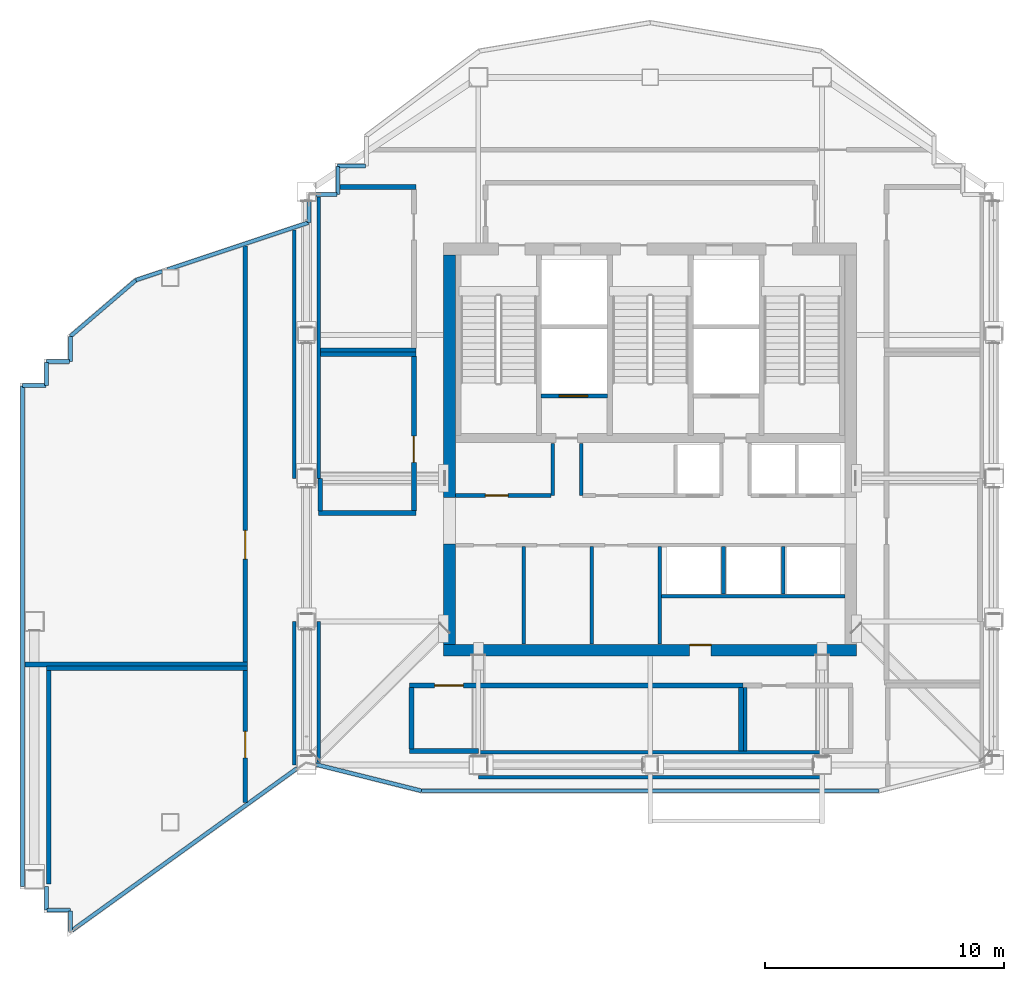
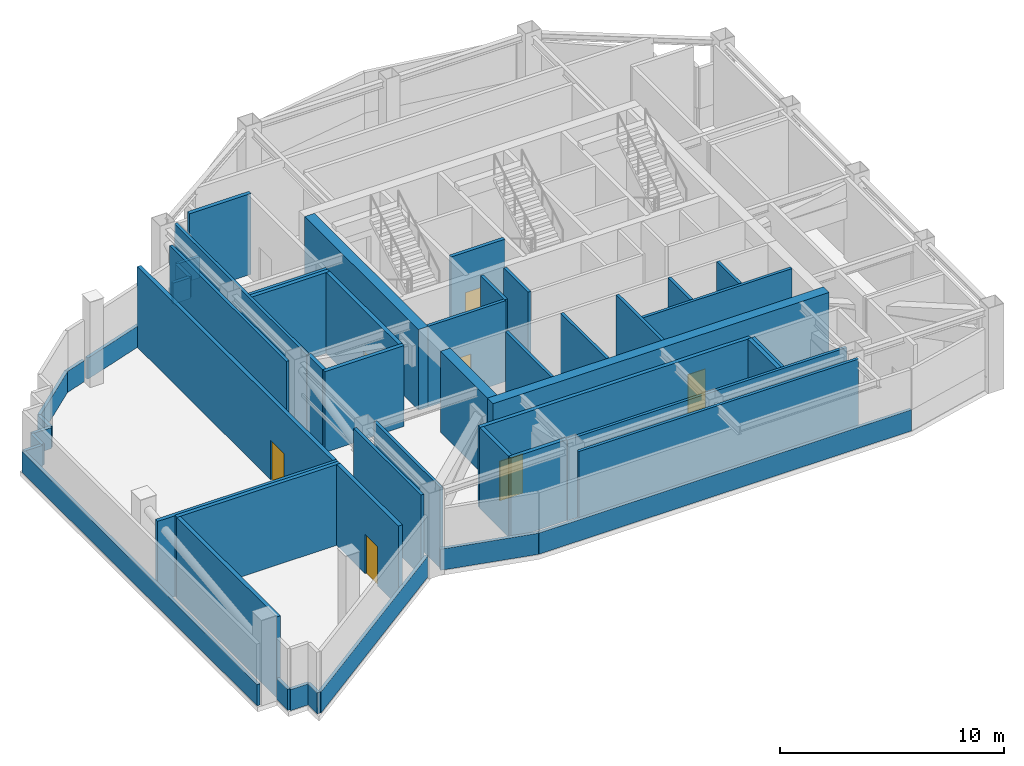
# One storey, part 10 of 15: 53 walls, 7 doors, 7 openings.
"""IFC4 building model written with IfcOpenShell, lengths in metres."""

from ifc_helpers import new_model, si_unit, direction, frame, frame_2d, origin, place, context, subcontext, project, spatial, rectangle, extrude, material, layer, layer_set, type_object, element, fill, save


model = new_model("IFC4")

# Units and contexts
model_context = context("Model", 3, precision=1e-05, world=origin(), true_north=direction((0.0, 1.0)))
body_context = subcontext(model_context, "Body", "Model", "MODEL_VIEW")
ifc_project = project(units=[si_unit("LENGTHUNIT", "METRE"), si_unit("AREAUNIT", "SQUARE_METRE"), si_unit("VOLUMEUNIT", "CUBIC_METRE"), si_unit("PLANEANGLEUNIT", "RADIAN"), si_unit("MASSUNIT", "GRAM", prefix="KILO")], contexts=[model_context])

# Site, building, storey
site_placement = place(None, origin())
site = spatial("IfcSite", under=ifc_project, at=site_placement, CompositionType="ELEMENT")
building_placement = place(site_placement, origin())
building = spatial("IfcBuilding", under=site, at=building_placement, Name="Haolan Belvedere Tower", CompositionType="ELEMENT")
storey_placement = place(building_placement, frame((0.0, 0.0, 277.550048828125)))
storey = spatial("IfcBuildingStorey", under=building, at=storey_placement, Name="L70", CompositionType="ELEMENT", Elevation=277.550048828125)

# Wall, opening, door
ifc_material_1 = material(Name="Concrete C50/60", Category="concrete")
ifc_layer_1 = layer(ifc_material_1, 0.5, Name="Concrete C50/60")
ifc_layer_set_1 = layer_set([ifc_layer_1], Name="Concrete C50/60")
wall_type_1 = type_object("IfcWallType", Name="WL-CORE-500", PredefinedType="SHEAR", material=ifc_layer_set_1)
wall_1_placement = place(storey_placement, frame((29.75, 26.39990234375, 0.0), z_axis=(0.0, 0.0, 1.0), x_axis=(1.0, 0.0, 0.0)))
wall_1 = element("IfcWall", 1, at=wall_1_placement, inside=storey, type_object=wall_type_1, Name="L70 central core south shear wall", PredefinedType="SHEAR", context=body_context, shape_type="SweptSolid", body=[
    extrude(rectangle(XDim=17.300048828125, YDim=0.5, at=frame_2d((8.64990234375, 0.0))), origin(), (0.0, 0.0, 1.0), 4.39990234375),
])
opening_1_placement = place(wall_1_placement, frame((11.199951171875, 0.0, 0.0), z_axis=(0.0, 0.0, 1.0), x_axis=(-1.0, 0.0, 0.0)))
opening_1 = element("IfcOpeningElement", 2, at=opening_1_placement, cuts=wall_1, Name="Opening FD-05", PredefinedType="OPENING", context=body_context, shape_type="SweptSolid", body=[
    extrude(rectangle(XDim=0.89990234375, YDim=2.10009765625, at=frame_2d((0.449951171875, 1.050048828125))), frame((0.0, 0.260009765625, 0.0), z_axis=(0.0, -1.0, 0.0), x_axis=(1.0, 0.0, 0.0)), (0.0, 0.0, 1.0), 0.52001953125),
])
ifc_material_2 = material(Name="Galvanised fire-rated steel", Category="steel")
door_type_1 = type_object("IfcDoorType", Name="DR-FD60-900", OperationType="NOTDEFINED", PredefinedType="DOOR", material=ifc_material_2)
door_1_placement = place(opening_1_placement, origin())
door_1 = element("IfcDoor", 3, at=door_1_placement, inside=storey, type_object=door_type_1, Name="L70 door CD-L70-SCVE", OperationType="SINGLE_SWING_RIGHT", OverallHeight=2.10009765625, OverallWidth=0.89990234375, PredefinedType="DOOR", context=body_context, shape_type="SweptSolid", body=[
    extrude(rectangle(XDim=0.89990234375, YDim=2.10009765625, at=frame_2d((0.449951171875, 1.050048828125))), frame((0.0, -0.19482421875, 0.0), z_axis=(0.0, -1.0, 0.0), x_axis=(1.0, 0.0, 0.0)), (0.0, 0.0, 1.0), 0.050048828125),
])
fill(opening_1, door_1)

# Walls
wall_2_placement = place(storey_placement, frame((30.0, 26.64990234375, 0.0), z_axis=(0.0, 0.0, 1.0), x_axis=(0.0, 1.0, 0.0)))
element("IfcWall", 4, at=wall_2_placement, inside=storey, type_object=wall_type_1, Name="L70 central core shear wall WS", PredefinedType="SHEAR", context=body_context, shape_type="SweptSolid", body=[
    extrude(rectangle(XDim=4.2001953125, YDim=0.5, at=frame_2d((2.10009765625, 0.0))), origin(), (0.0, 0.0, 1.0), 4.39990234375),
])
wall_3_placement = place(storey_placement, frame((30.0, 32.800048828125, 0.0), z_axis=(0.0, 0.0, 1.0), x_axis=(0.0, 1.0, 0.0)))
element("IfcWall", 5, at=wall_3_placement, inside=storey, type_object=wall_type_1, Name="L70 central core shear wall WN", PredefinedType="SHEAR", context=body_context, shape_type="SweptSolid", body=[
    extrude(rectangle(XDim=10.14990234375, YDim=0.5, at=frame_2d((5.074951171875, 0.0))), origin(), (0.0, 0.0, 1.0), 4.39990234375),
])
ifc_material_3 = material(Name="Concrete C40/50", Category="concrete")
ifc_layer_2 = layer(ifc_material_3, 0.199951171875, Name="Concrete C40/50")
ifc_layer_set_2 = layer_set([ifc_layer_2], Name="Concrete C40/50")
wall_type_2 = type_object("IfcWallType", Name="WL-FIRE-200", PredefinedType="SOLIDWALL", material=ifc_layer_set_2)
wall_4_placement = place(storey_placement, frame((24.580078125, 38.800048828125, 0.0), z_axis=(0.0, 0.0, 1.0), x_axis=(1.0, 0.0, 0.0)))
element("IfcWall", 6, at=wall_4_placement, inside=storey, type_object=wall_type_2, Name="L70 interior partition IW-L70-REF-W1-N", PredefinedType="SOLIDWALL", context=body_context, shape_type="SweptSolid", body=[
    extrude(rectangle(XDim=4.0, YDim=0.199951171875, at=frame_2d((2.0, 0.0))), origin(), (0.0, 0.0, 1.0), 4.39990234375),
])
wall_5_placement = place(storey_placement, frame((24.5, 32.14990234375, 0.0), z_axis=(0.0, 0.0, 1.0), x_axis=(1.0, 0.0, 0.0)))
element("IfcWall", 7, at=wall_5_placement, inside=storey, type_object=wall_type_2, Name="L70 interior partition IW-L70-REF-W1-S", PredefinedType="SOLIDWALL", context=body_context, shape_type="SweptSolid", body=[
    extrude(rectangle(XDim=4.080078125, YDim=0.199951171875, at=frame_2d((2.0400390625, 0.0))), origin(), (0.0, 0.0, 1.0), 4.39990234375),
])
wall_6_placement = place(storey_placement, frame((24.580078125, 32.235107421875, 0.0), z_axis=(0.0, 0.0, 1.0), x_axis=(0.0, 1.0, 0.0)))
element("IfcWall", 8, at=wall_6_placement, inside=storey, type_object=wall_type_2, Name="L70 interior partition IW-L70-REF-W1-W", PredefinedType="SOLIDWALL", context=body_context, shape_type="SweptSolid", body=[
    extrude(rectangle(XDim=1.36279296875, YDim=0.199951171875, at=frame_2d((0.681396484375, 0.0))), origin(), (0.0, 0.0, 1.0), 4.39990234375),
])

# Wall, opening, door
wall_7_placement = place(storey_placement, frame((28.5, 32.235107421875, 0.0), z_axis=(0.0, 0.0, 1.0), x_axis=(0.0, 1.0, 0.0)))
wall_7 = element("IfcWall", 9, at=wall_7_placement, inside=storey, type_object=wall_type_2, Name="L70 interior partition IW-L70-REF-W1-E", PredefinedType="SOLIDWALL", context=body_context, shape_type="SweptSolid", body=[
    extrude(rectangle(XDim=6.47998046875, YDim=0.199951171875, at=frame_2d((3.239990234375, 0.0))), origin(), (0.0, 0.0, 1.0), 4.39990234375),
])
opening_2_placement = place(wall_7_placement, frame((3.135009765625, 0.0, 0.0), z_axis=(0.0, 0.0, 1.0), x_axis=(-1.0, 0.0, 0.0)))
opening_2 = element("IfcOpeningElement", 10, at=opening_2_placement, cuts=wall_7, Name="Opening FD-03", PredefinedType="OPENING", context=body_context, shape_type="SweptSolid", body=[
    extrude(rectangle(XDim=1.10009765625, YDim=2.14990234375, at=frame_2d((0.550048828125, 1.074951171875))), frame((0.0, 0.10986328125, 0.0), z_axis=(0.0, -1.0, 0.0), x_axis=(1.0, 0.0, 0.0)), (0.0, 0.0, 1.0), 0.219970703125),
])
door_type_2 = type_object("IfcDoorType", Name="DR-FD90-1100", OperationType="NOTDEFINED", PredefinedType="DOOR", material=ifc_material_2)
door_2_placement = place(opening_2_placement, origin())
door_2 = element("IfcDoor", 11, at=door_2_placement, inside=storey, type_object=door_type_2, Name="L70 door ID-L70-REF-W1", OperationType="SINGLE_SWING_LEFT", OverallHeight=2.14990234375, OverallWidth=1.10009765625, PredefinedType="DOOR", context=body_context, shape_type="SweptSolid", body=[
    extrude(rectangle(XDim=1.10009765625, YDim=2.14990234375, at=frame_2d((0.550048828125, 1.074951171875))), frame((0.0, 0.02490234375, 0.0), z_axis=(0.0, -1.0, 0.0), x_axis=(1.0, 0.0, 0.0)), (0.0, 0.0, 1.0), 0.050048828125),
])
fill(opening_2, door_2)

# Walls
wall_8_placement = place(storey_placement, frame((25.412109375, 45.800048828125, 0.0), z_axis=(0.0, 0.0, 1.0), x_axis=(1.0, 0.0, 0.0)))
element("IfcWall", 12, at=wall_8_placement, inside=storey, type_object=wall_type_2, Name="L70 interior partition IW-L70-REF-W2-N", PredefinedType="SOLIDWALL", context=body_context, shape_type="SweptSolid", body=[
    extrude(rectangle(XDim=3.16796875, YDim=0.199951171875, at=frame_2d((1.583984375, 0.0))), origin(), (0.0, 0.0, 1.0), 4.39990234375),
])
wall_9_placement = place(storey_placement, frame((24.580078125, 38.9599609375, 0.0), z_axis=(0.0, 0.0, 1.0), x_axis=(1.0, 0.0, 0.0)))
element("IfcWall", 13, at=wall_9_placement, inside=storey, type_object=wall_type_2, Name="L70 interior partition IW-L70-REF-W2-S", PredefinedType="SOLIDWALL", context=body_context, shape_type="SweptSolid", body=[
    extrude(rectangle(XDim=4.0, YDim=0.199951171875, at=frame_2d((2.0, 0.0))), origin(), (0.0, 0.0, 1.0), 4.39990234375),
])
wall_10_placement = place(storey_placement, frame((12.2119140625, 25.800048828125, 0.0), z_axis=(0.0, 0.0, 1.0), x_axis=(1.0, 0.0, 0.0)))
element("IfcWall", 14, at=wall_10_placement, inside=storey, type_object=wall_type_2, Name="L70 interior partition IW-L70-REF-WO-S", PredefinedType="SOLIDWALL", context=body_context, shape_type="SweptSolid", body=[
    extrude(rectangle(XDim=9.30810546875, YDim=0.199951171875, at=frame_2d((4.654052734375, 0.0))), origin(), (0.0, 0.0, 1.0), 4.39990234375),
])

# Wall, opening, door
wall_11_placement = place(storey_placement, frame((21.43994140625, 25.885009765625, 0.0), z_axis=(0.0, 0.0, 1.0), x_axis=(0.0, 1.0, 0.0)))
wall_11 = element("IfcWall", 15, at=wall_11_placement, inside=storey, type_object=wall_type_2, Name="L70 interior partition IW-L70-REF-WO-E", PredefinedType="SOLIDWALL", context=body_context, shape_type="SweptSolid", body=[
    extrude(rectangle(XDim=17.438232421875, YDim=0.199951171875, at=frame_2d((8.71923828125, 0.0))), origin(), (0.0, 0.0, 1.0), 4.39990234375),
])
opening_3_placement = place(wall_11_placement, frame((5.534912109375, 0.0, 0.0), z_axis=(0.0, 0.0, 1.0), x_axis=(-1.0, 0.0, 0.0)))
opening_3 = element("IfcOpeningElement", 16, at=opening_3_placement, cuts=wall_11, Name="Opening FD-02", PredefinedType="OPENING", context=body_context, shape_type="SweptSolid", body=[
    extrude(rectangle(XDim=1.199951171875, YDim=2.14990234375, at=frame_2d((0.60009765625, 1.074951171875))), frame((0.0, 0.10986328125, 0.0), z_axis=(0.0, -1.0, 0.0), x_axis=(1.0, 0.0, 0.0)), (0.0, 0.0, 1.0), 0.219970703125),
])
door_type_3 = type_object("IfcDoorType", Name="DR-FD90-1200", OperationType="NOTDEFINED", PredefinedType="DOOR", material=ifc_material_2)
door_3_placement = place(opening_3_placement, origin())
door_3 = element("IfcDoor", 17, at=door_3_placement, inside=storey, type_object=door_type_3, Name="L70 door ID-L70-REF-WO", OperationType="SINGLE_SWING_LEFT", OverallHeight=2.14990234375, OverallWidth=1.199951171875, PredefinedType="DOOR", context=body_context, shape_type="SweptSolid", body=[
    extrude(rectangle(XDim=1.199951171875, YDim=2.14990234375, at=frame_2d((0.60009765625, 1.074951171875))), frame((0.0, 0.02490234375, 0.0), z_axis=(0.0, -1.0, 0.0), x_axis=(1.0, 0.0, 0.0)), (0.0, 0.0, 1.0), 0.050048828125),
])
fill(opening_3, door_3)

# Walls
wall_12_placement = place(storey_placement, frame((13.1201171875, 25.639892578125, 0.0), z_axis=(0.0, 0.0, 1.0), x_axis=(1.0, 0.0, 0.0)))
element("IfcWall", 18, at=wall_12_placement, inside=storey, type_object=wall_type_2, Name="L70 interior partition IW-L70-PLT-WTNK-N", PredefinedType="SOLIDWALL", context=body_context, shape_type="SweptSolid", body=[
    extrude(rectangle(XDim=8.39990234375, YDim=0.199951171875, at=frame_2d((4.199951171875, 0.0))), origin(), (0.0, 0.0, 1.0), 4.39990234375),
])
wall_13_placement = place(storey_placement, frame((13.199951171875, 16.612060546875, 0.0), z_axis=(0.0, 0.0, 1.0), x_axis=(0.0, 1.0, 0.0)))
element("IfcWall", 19, at=wall_13_placement, inside=storey, type_object=wall_type_2, Name="L70 interior partition IW-L70-PLT-WTNK-W", PredefinedType="SOLIDWALL", context=body_context, shape_type="SweptSolid", body=[
    extrude(rectangle(XDim=8.94287109375, YDim=0.199951171875, at=frame_2d((4.471435546875, 0.0))), origin(), (0.0, 0.0, 1.0), 4.39990234375),
])

# Wall, opening, door
wall_14_placement = place(storey_placement, frame((21.43994140625, 20.01806640625, 0.0), z_axis=(0.0, 0.0, 1.0), x_axis=(0.0, 1.0, 0.0)))
wall_14 = element("IfcWall", 20, at=wall_14_placement, inside=storey, type_object=wall_type_2, Name="L70 interior partition IW-L70-PLT-WTNK-E", PredefinedType="SOLIDWALL", context=body_context, shape_type="SweptSolid", body=[
    extrude(rectangle(XDim=5.536865234375, YDim=0.199951171875, at=frame_2d((2.7685546875, 0.0))), origin(), (0.0, 0.0, 1.0), 4.39990234375),
])
opening_4_placement = place(wall_14_placement, frame((2.977294921875, 0.0, 0.0), z_axis=(0.0, 0.0, 1.0), x_axis=(-1.0, 0.0, 0.0)))
opening_4 = element("IfcOpeningElement", 21, at=opening_4_placement, cuts=wall_14, Name="Opening FD-03", PredefinedType="OPENING", context=body_context, shape_type="SweptSolid", body=[
    extrude(rectangle(XDim=1.10009765625, YDim=2.14990234375, at=frame_2d((0.550048828125, 1.074951171875))), frame((0.0, 0.10986328125, 0.0), z_axis=(0.0, -1.0, 0.0), x_axis=(1.0, 0.0, 0.0)), (0.0, 0.0, 1.0), 0.219970703125),
])
door_4_placement = place(opening_4_placement, origin())
door_4 = element("IfcDoor", 22, at=door_4_placement, inside=storey, type_object=door_type_2, Name="L70 door ID-L70-PLT-WTNK", OperationType="SINGLE_SWING_RIGHT", OverallHeight=2.14990234375, OverallWidth=1.10009765625, PredefinedType="DOOR", context=body_context, shape_type="SweptSolid", body=[
    extrude(rectangle(XDim=1.10009765625, YDim=2.14990234375, at=frame_2d((0.550048828125, 1.074951171875))), frame((0.0, 0.02490234375, 0.0), z_axis=(0.0, -1.0, 0.0), x_axis=(1.0, 0.0, 0.0)), (0.0, 0.0, 1.0), 0.050048828125),
])
fill(opening_4, door_4)

wall_15_placement = place(storey_placement, frame((28.320068359375, 24.919921875, 0.0), z_axis=(0.0, 0.0, 1.0), x_axis=(1.0, 0.0, 0.0)))
wall_15 = element("IfcWall", 23, at=wall_15_placement, inside=storey, type_object=wall_type_2, Name="L70 interior partition IW-L70-REF-S-N", PredefinedType="SOLIDWALL", context=body_context, shape_type="SweptSolid", body=[
    extrude(rectangle(XDim=13.9599609375, YDim=0.199951171875, at=frame_2d((6.97998046875, 0.0))), origin(), (0.0, 0.0, 1.0), 4.39990234375),
])
opening_5_placement = place(wall_15_placement, frame((2.24853515625, 0.0, 0.0), z_axis=(0.0, 0.0, 1.0), x_axis=(-1.0, 0.0, 0.0)))
opening_5 = element("IfcOpeningElement", 24, at=opening_5_placement, cuts=wall_15, Name="Opening FD-02", PredefinedType="OPENING", context=body_context, shape_type="SweptSolid", body=[
    extrude(rectangle(XDim=1.199951171875, YDim=2.14990234375, at=frame_2d((0.60009765625, 1.074951171875))), frame((0.0, 0.10986328125, 0.0), z_axis=(0.0, -1.0, 0.0), x_axis=(1.0, 0.0, 0.0)), (0.0, 0.0, 1.0), 0.219970703125),
])
door_5_placement = place(opening_5_placement, origin())
door_5 = element("IfcDoor", 25, at=door_5_placement, inside=storey, type_object=door_type_3, Name="L70 door ID-L70-REF-S", OperationType="SINGLE_SWING_LEFT", OverallHeight=2.14990234375, OverallWidth=1.199951171875, PredefinedType="DOOR", context=body_context, shape_type="SweptSolid", body=[
    extrude(rectangle(XDim=1.199951171875, YDim=2.14990234375, at=frame_2d((0.60009765625, 1.074951171875))), frame((0.0, 0.02490234375, 0.0), z_axis=(0.0, -1.0, 0.0), x_axis=(1.0, 0.0, 0.0)), (0.0, 0.0, 1.0), 0.050048828125),
])
fill(opening_5, door_5)

# Walls
wall_16_placement = place(storey_placement, frame((28.320068359375, 22.179931640625, 0.0), z_axis=(0.0, 0.0, 1.0), x_axis=(1.0, 0.0, 0.0)))
element("IfcWall", 26, at=wall_16_placement, inside=storey, type_object=wall_type_2, Name="L70 interior partition IW-L70-REF-S-S", PredefinedType="SOLIDWALL", context=body_context, shape_type="SweptSolid", body=[
    extrude(rectangle(XDim=2.8779296875, YDim=0.199951171875, at=frame_2d((1.43896484375, 0.0))), origin(), (0.0, 0.0, 1.0), 4.39990234375),
])
wall_17_placement = place(storey_placement, frame((28.39990234375, 22.264892578125, 0.0), z_axis=(0.0, 0.0, 1.0), x_axis=(0.0, 1.0, 0.0)))
element("IfcWall", 27, at=wall_17_placement, inside=storey, type_object=wall_type_2, Name="L70 interior partition IW-L70-REF-S-W", PredefinedType="SOLIDWALL", context=body_context, shape_type="SweptSolid", body=[
    extrude(rectangle(XDim=2.570068359375, YDim=0.199951171875, at=frame_2d((1.28515625, 0.0))), origin(), (0.0, 0.0, 1.0), 4.39990234375),
])
for number, where, z_axis, x_axis, name in (
    (28, (42.199951171875, 22.179931640625, 0.0), (0.0, 0.0, 1.0), (0.0, 1.0, 0.0), "L70 interior partition IW-L70-REF-S-E"),
    (29, (42.360107421875, 22.179931640625, 0.0), (0.0, 0.0, 1.0), (0.0, 1.0, 0.0), "L70 interior partition IW-L70-PLT-SUB-W"),
):
    element("IfcWall", number, at=place(storey_placement, frame(where, z_axis=z_axis, x_axis=x_axis)), inside=storey, type_object=wall_type_2, Name=name, PredefinedType="SOLIDWALL", context=body_context, shape_type="SweptSolid", body=[
        extrude(rectangle(XDim=2.655029296875, YDim=0.199951171875, at=frame_2d((1.32763671875, 0.0))), origin(), (0.0, 0.0, 1.0), 4.39990234375),
    ])
ifc_material_4 = material(Name="Precast concrete C40/50", Category="concrete")
ifc_layer_3 = layer(ifc_material_4, 0.159912109375, Name="Precast concrete C40/50")
ifc_layer_set_3 = layer_set([ifc_layer_3], Name="Precast concrete C40/50")
wall_type_3 = type_object("IfcWallType", Name="WL-PAR-160", PredefinedType="PARAPET", material=ifc_layer_set_3)
wall_18_placement = place(storey_placement, frame((28.8134765625, 20.510009765625, 0.0), z_axis=(0.0, 0.0, 1.0), x_axis=(1.0, 0.0, 0.0)))
element("IfcWall", 30, at=wall_18_placement, inside=storey, type_object=wall_type_3, Name="L70 refuge open-band parapet 1.1", PredefinedType="PARAPET", context=body_context, shape_type="SweptSolid", body=[
    extrude(rectangle(XDim=19.173095703125, YDim=0.159912109375, at=frame_2d((9.58642578125, 0.0))), origin(), (0.0, 0.0, 1.0), 1.14990234375),
])
for number, where, z_axis, x_axis, name in (
    (31, (26.47998046875, 46.68994140625, 0.0), (0.0, 0.0, 1.0), (-1.0, 0.0, 0.0), "L70 refuge open-band parapet 13.1"),
    (32, (25.31005859375, 46.659912109375, 0.0), (0.0, 0.0, 1.0), (0.0, -1.0, 0.0), "L70 refuge open-band parapet 14.1"),
):
    element("IfcWall", number, at=place(storey_placement, frame(where, z_axis=z_axis, x_axis=x_axis)), inside=storey, type_object=wall_type_3, Name=name, PredefinedType="PARAPET", context=body_context, shape_type="SweptSolid", body=[
        extrude(rectangle(XDim=1.169921875, YDim=0.159912109375, at=frame_2d((0.5849609375, 0.0))), origin(), (0.0, 0.0, 1.0), 1.14990234375),
    ])
wall_19_placement = place(storey_placement, frame((25.280029296875, 45.489990234375, 0.0), z_axis=(0.0, 0.0, 1.0), x_axis=(-1.0, 0.0, 0.0)))
element("IfcWall", 33, at=wall_19_placement, inside=storey, type_object=wall_type_3, Name="L70 refuge open-band parapet 15.1", PredefinedType="PARAPET", context=body_context, shape_type="SweptSolid", body=[
    extrude(rectangle(XDim=0.887939453125, YDim=0.159912109375, at=frame_2d((0.44384765625, 0.0))), origin(), (0.0, 0.0, 1.0), 1.14990234375),
])
wall_20_placement = place(storey_placement, frame((24.110107421875, 45.2080078125, 0.0), z_axis=(0.0, 0.0, 1.0), x_axis=(0.0, -1.0, 0.0)))
element("IfcWall", 34, at=wall_20_placement, inside=storey, type_object=wall_type_3, Name="L70 refuge open-band parapet 16.1", PredefinedType="PARAPET", context=body_context, shape_type="SweptSolid", body=[
    extrude(rectangle(XDim=0.88720703125, YDim=0.159912109375, at=frame_2d((0.443603515625, 0.0))), origin(), (0.0, 0.0, 1.0), 1.14990234375),
])
wall_21_placement = place(storey_placement, frame((24.08154296875, 44.311279296875, 0.0), z_axis=(0.0, 0.0, 1.0), x_axis=(-0.948687218335, -0.316216004921, 0.0)))
element("IfcWall", 35, at=wall_21_placement, inside=storey, type_object=wall_type_3, Name="L70 refuge open-band parapet 17.1", PredefinedType="PARAPET", context=body_context, shape_type="SweptSolid", body=[
    extrude(rectangle(XDim=6.2275390625, YDim=0.159912109375, at=frame_2d((3.11376953125, 0.0))), origin(), (0.0, 0.0, 1.0), 1.14990234375),
])
wall_22_placement = place(storey_placement, frame((17.9580078125, 42.27001953125, 0.0), z_axis=(0.0, 0.0, 1.0), x_axis=(-0.948725296556, -0.316101742599, 0.0)))
element("IfcWall", 36, at=wall_22_placement, inside=storey, type_object=wall_type_3, Name="L70 refuge open-band parapet 17.2", PredefinedType="PARAPET", context=body_context, shape_type="SweptSolid", body=[
    extrude(rectangle(XDim=1.162353515625, YDim=0.159912109375, at=frame_2d((0.5810546875, 0.0))), origin(), (0.0, 0.0, 1.0), 1.14990234375),
])
wall_23_placement = place(storey_placement, frame((16.855224609375, 41.902587890625, 0.0), z_axis=(0.0, 0.0, 1.0), x_axis=(-0.759213704594, -0.650841417518, 0.0)))
element("IfcWall", 37, at=wall_23_placement, inside=storey, type_object=wall_type_3, Name="L70 refuge open-band parapet 18.1", PredefinedType="PARAPET", context=body_context, shape_type="SweptSolid", body=[
    extrude(rectangle(XDim=3.61572265625, YDim=0.159912109375, at=frame_2d((1.807861328125, 0.0))), origin(), (0.0, 0.0, 1.0), 1.14990234375),
])
wall_24_placement = place(storey_placement, frame((14.110107421875, 39.54931640625, 0.0), z_axis=(0.0, 0.0, 1.0), x_axis=(0.0, -1.0, 0.0)))
element("IfcWall", 38, at=wall_24_placement, inside=storey, type_object=wall_type_3, Name="L70 refuge open-band parapet 19.1", PredefinedType="PARAPET", context=body_context, shape_type="SweptSolid", body=[
    extrude(rectangle(XDim=1.059326171875, YDim=0.159912109375, at=frame_2d((0.52978515625, 0.0))), origin(), (0.0, 0.0, 1.0), 1.14990234375),
])
for number, where, z_axis, x_axis, name in (
    (39, (14.080078125, 38.489990234375, 0.0), (0.0, 0.0, 1.0), (-1.0, 0.0, 0.0), "L70 refuge open-band parapet 20.1"),
    (40, (13.110107421875, 38.4599609375, 0.0), (0.0, 0.0, 1.0), (0.0, -1.0, 0.0), "L70 refuge open-band parapet 21.1"),
    (41, (13.080078125, 37.489990234375, 0.0), (0.0, 0.0, 1.0), (-1.0, 0.0, 0.0), "L70 refuge open-band parapet 22.1"),
):
    element("IfcWall", number, at=place(storey_placement, frame(where, z_axis=z_axis, x_axis=x_axis)), inside=storey, type_object=wall_type_3, Name=name, PredefinedType="PARAPET", context=body_context, shape_type="SweptSolid", body=[
        extrude(rectangle(XDim=0.969970703125, YDim=0.159912109375, at=frame_2d((0.48486328125, 0.0))), origin(), (0.0, 0.0, 1.0), 1.14990234375),
    ])
wall_25_placement = place(storey_placement, frame((12.110107421875, 37.4599609375, 0.0), z_axis=(0.0, 0.0, 1.0), x_axis=(0.0, -1.0, 0.0)))
element("IfcWall", 42, at=wall_25_placement, inside=storey, type_object=wall_type_3, Name="L70 refuge open-band parapet 23.1", PredefinedType="PARAPET", context=body_context, shape_type="SweptSolid", body=[
    extrude(rectangle(XDim=20.949951171875, YDim=0.159912109375, at=frame_2d((10.47509765625, 0.0))), origin(), (0.0, 0.0, 1.0), 1.14990234375),
])
wall_26_placement = place(storey_placement, frame((13.110107421875, 16.510009765625, 0.0), z_axis=(0.0, 0.0, 1.0), x_axis=(0.0, -1.0, 0.0)))
element("IfcWall", 43, at=wall_26_placement, inside=storey, type_object=wall_type_3, Name="L70 refuge open-band parapet 25.1", PredefinedType="PARAPET", context=body_context, shape_type="SweptSolid", body=[
    extrude(rectangle(XDim=1.0, YDim=0.159912109375, at=frame_2d((0.5, 0.0))), origin(), (0.0, 0.0, 1.0), 1.14990234375),
])
wall_27_placement = place(storey_placement, frame((13.139892578125, 15.510009765625, 0.0), z_axis=(0.0, 0.0, 1.0), x_axis=(1.0, 0.0, 0.0)))
element("IfcWall", 44, at=wall_27_placement, inside=storey, type_object=wall_type_3, Name="L70 refuge open-band parapet 26.1", PredefinedType="PARAPET", context=body_context, shape_type="SweptSolid", body=[
    extrude(rectangle(XDim=0.97021484375, YDim=0.159912109375, at=frame_2d((0.485107421875, 0.0))), origin(), (0.0, 0.0, 1.0), 1.14990234375),
])
wall_28_placement = place(storey_placement, frame((14.110107421875, 15.47998046875, 0.0), z_axis=(0.0, 0.0, 1.0), x_axis=(0.0, -1.0, 0.0)))
element("IfcWall", 45, at=wall_28_placement, inside=storey, type_object=wall_type_3, Name="L70 refuge open-band parapet 27.1", PredefinedType="PARAPET", context=body_context, shape_type="SweptSolid", body=[
    extrude(rectangle(XDim=0.865234375, YDim=0.159912109375, at=frame_2d((0.4326171875, 0.0))), origin(), (0.0, 0.0, 1.0), 1.14990234375),
])
wall_29_placement = place(storey_placement, frame((14.18310546875, 14.667236328125, 0.0), z_axis=(0.0, 0.0, 1.0), x_axis=(0.811523176966, 0.584320231762, 0.0)))
element("IfcWall", 46, at=wall_29_placement, inside=storey, type_object=wall_type_3, Name="L70 refuge open-band parapet 28.1", PredefinedType="PARAPET", context=body_context, shape_type="SweptSolid", body=[
    extrude(rectangle(XDim=11.61376953125, YDim=0.159912109375, at=frame_2d((5.806884765625, 0.0))), origin(), (0.0, 0.0, 1.0), 1.14990234375),
])
wall_30_placement = place(storey_placement, frame((24.39208984375, 21.615478515625, 0.0), z_axis=(0.0, 0.0, 1.0), x_axis=(0.970136197572, -0.242560833937, 0.0)))
element("IfcWall", 47, at=wall_30_placement, inside=storey, type_object=wall_type_3, Name="L70 refuge open-band parapet 29.1", PredefinedType="PARAPET", context=body_context, shape_type="SweptSolid", body=[
    extrude(rectangle(XDim=4.557373046875, YDim=0.159912109375, at=frame_2d((2.27880859375, 0.0))), origin(), (0.0, 0.0, 1.0), 1.14990234375),
])
ifc_material_5 = material(Name="Double gypsum acoustic stud partition", Category="masonry")
ifc_layer_4 = layer(ifc_material_5, 0.14990234375, Name="Double gypsum acoustic stud partition")
ifc_layer_set_4 = layer_set([ifc_layer_4], Name="Double gypsum acoustic stud partition")
wall_type_4 = type_object("IfcWallType", Name="WL-PART-150", PredefinedType="PARTITIONING", material=ifc_layer_set_4)
for number, where, z_axis, x_axis, name in (
    (48, (33.10009765625, 26.659912109375, 0.0), (0.0, 0.0, 1.0), (0.0, 1.0, 0.0), "L70 interior partition IW-L70-DIV-REUSE-PM1"),
    (49, (35.949951171875, 26.659912109375, 0.0), (0.0, 0.0, 1.0), (0.0, 1.0, 0.0), "L70 interior partition IW-L70-DIV-REUSE-PM2"),
):
    element("IfcWall", number, at=place(storey_placement, frame(where, z_axis=z_axis, x_axis=x_axis)), inside=storey, type_object=wall_type_4, Name=name, PredefinedType="PARTITIONING", context=body_context, shape_type="SweptSolid", body=[
        extrude(rectangle(XDim=4.0751953125, YDim=0.14990234375, at=frame_2d((2.03759765625, 0.0))), origin(), (0.0, 0.0, 1.0), 4.39990234375),
    ])
wall_31_placement = place(storey_placement, frame((38.860107421875, 28.659912109375, 0.0), z_axis=(0.0, 0.0, 1.0), x_axis=(1.0, 0.0, 0.0)))
element("IfcWall", 50, at=wall_31_placement, inside=storey, type_object=wall_type_4, Name="L70 interior partition IW-L70-SSTRIP-E", PredefinedType="PARTITIONING", context=body_context, shape_type="SweptSolid", body=[
    extrude(rectangle(XDim=7.68994140625, YDim=0.14990234375, at=frame_2d((3.844970703125, 0.0))), origin(), (0.0, 0.0, 1.0), 4.39990234375),
])
wall_32_placement = place(storey_placement, frame((24.52001953125, 21.6884765625, 0.0), z_axis=(0.0, 0.0, 1.0), x_axis=(0.0, 1.0, 0.0)))
element("IfcWall", 51, at=wall_32_placement, inside=storey, type_object=wall_type_4, Name="L70 interior partition IW-L70-CH-BTW1-1", PredefinedType="PARTITIONING", context=body_context, shape_type="SweptSolid", body=[
    extrude(rectangle(XDim=5.91162109375, YDim=0.14990234375, at=frame_2d((2.955810546875, 0.0))), origin(), (0.0, 0.0, 1.0), 4.39990234375),
])
wall_33_placement = place(storey_placement, frame((23.47998046875, 21.60009765625, 0.0), z_axis=(0.0, 0.0, 1.0), x_axis=(0.0, 1.0, 0.0)))
element("IfcWall", 52, at=wall_33_placement, inside=storey, type_object=wall_type_4, Name="L70 interior partition IW-L70-CH-BTW1-2", PredefinedType="PARTITIONING", context=body_context, shape_type="SweptSolid", body=[
    extrude(rectangle(XDim=6.0, YDim=0.14990234375, at=frame_2d((3.0, 0.0))), origin(), (0.0, 0.0, 1.0), 4.39990234375),
])
wall_34_placement = place(storey_placement, frame((24.52001953125, 33.60009765625, 0.0), z_axis=(0.0, 0.0, 1.0), x_axis=(0.0, 1.0, 0.0)))
element("IfcWall", 53, at=wall_34_placement, inside=storey, type_object=wall_type_4, Name="L70 interior partition IW-L70-CH-BTW3-1", PredefinedType="PARTITIONING", context=body_context, shape_type="SweptSolid", body=[
    extrude(rectangle(XDim=11.787841796875, YDim=0.14990234375, at=frame_2d((5.89404296875, 0.0))), origin(), (0.0, 0.0, 1.0), 4.39990234375),
])
wall_35_placement = place(storey_placement, frame((23.47998046875, 33.60009765625, 0.0), z_axis=(0.0, 0.0, 1.0), x_axis=(0.0, 1.0, 0.0)))
element("IfcWall", 54, at=wall_35_placement, inside=storey, type_object=wall_type_4, Name="L70 interior partition IW-L70-CH-BTW3-2", PredefinedType="PARTITIONING", context=body_context, shape_type="SweptSolid", body=[
    extrude(rectangle(XDim=10.403076171875, YDim=0.14990234375, at=frame_2d((5.20166015625, 0.0))), origin(), (0.0, 0.0, 1.0), 4.39990234375),
])
for number, where, z_axis, x_axis, name in (
    (55, (31.199951171875, 21.080078125, 0.0), (0.0, 0.0, 1.0), (1.0, 0.0, 0.0), "L70 interior partition IW-L70-CH-BTS-1"),
    (56, (31.199951171875, 22.1201171875, 0.0), (0.0, 0.0, 1.0), (1.0, 0.0, 0.0), "L70 interior partition IW-L70-CH-BTS-2"),
):
    element("IfcWall", number, at=place(storey_placement, frame(where, z_axis=z_axis, x_axis=x_axis)), inside=storey, type_object=wall_type_4, Name=name, PredefinedType="PARTITIONING", context=body_context, shape_type="SweptSolid", body=[
        extrude(rectangle(XDim=14.400146484375, YDim=0.14990234375, at=frame_2d((7.2001953125, 0.0))), origin(), (0.0, 0.0, 1.0), 4.39990234375),
    ])
ifc_material_6 = material(Name="Gypsum fire shaftwall assembly", Category="masonry")
ifc_layer_5 = layer(ifc_material_6, 0.1650390625, Name="Gypsum fire shaftwall assembly")
ifc_layer_set_5 = layer_set([ifc_layer_5], Name="Gypsum fire shaftwall assembly")
wall_type_5 = type_object("IfcWallType", Name="WL-SHAFT-160", PredefinedType="SOLIDWALL", material=ifc_layer_set_5)
for number, where, z_axis, x_axis, name in (
    (57, (34.31005859375, 32.8798828125, 0.0), (0.0, 0.0, 1.0), (0.0, 1.0, 0.0), "L70 interior partition IW-L70-SVP-W-SV1"),
    (58, (35.510009765625, 32.8798828125, 0.0), (0.0, 0.0, 1.0), (0.0, 1.0, 0.0), "L70 interior partition IW-L70-SVP-E-SV1"),
):
    element("IfcWall", number, at=place(storey_placement, frame(where, z_axis=z_axis, x_axis=x_axis)), inside=storey, type_object=wall_type_5, Name=name, PredefinedType="SOLIDWALL", context=body_context, shape_type="SweptSolid", body=[
        extrude(rectangle(XDim=2.170166015625, YDim=0.14990234375, at=frame_2d((1.0849609375, 0.0))), origin(), (0.0, 0.0, 1.0), 4.39990234375),
    ])

# Wall, opening, door
wall_36_placement = place(storey_placement, frame((30.25, 32.8798828125, 0.0), z_axis=(0.0, 0.0, 1.0), x_axis=(1.0, 0.0, 0.0)))
wall_36 = element("IfcWall", 59, at=wall_36_placement, inside=storey, type_object=wall_type_5, Name="L70 interior partition IW-L70-ROW-PN1", PredefinedType="SOLIDWALL", context=body_context, shape_type="SweptSolid", body=[
    extrude(rectangle(XDim=4.0, YDim=0.159912109375, at=frame_2d((2.0, 0.0))), origin(), (0.0, 0.0, 1.0), 4.39990234375),
])
opening_6_placement = place(wall_36_placement, frame((2.199951171875, 0.0, 0.0), z_axis=(0.0, 0.0, 1.0), x_axis=(-1.0, 0.0, 0.0)))
opening_6 = element("IfcOpeningElement", 60, at=opening_6_placement, cuts=wall_36, Name="Opening ID-03", PredefinedType="OPENING", context=body_context, shape_type="SweptSolid", body=[
    extrude(rectangle(XDim=0.949951171875, YDim=2.1201171875, at=frame_2d((0.47509765625, 1.06005859375))), frame((0.0, 0.08984375, 0.0), z_axis=(0.0, -1.0, 0.0), x_axis=(1.0, 0.0, 0.0)), (0.0, 0.0, 1.0), 0.179931640625),
])
ifc_material_7 = material(Name="Painted solid-core timber", Category="wood")
door_type_4 = type_object("IfcDoorType", Name="DR-INT-950", OperationType="NOTDEFINED", PredefinedType="DOOR", material=ifc_material_7)
door_6_placement = place(opening_6_placement, origin())
door_6 = element("IfcDoor", 61, at=door_6_placement, inside=storey, type_object=door_type_4, Name="L70 door ID-L70-CD-RPLW", OperationType="SINGLE_SWING_LEFT", OverallHeight=2.1201171875, OverallWidth=0.949951171875, PredefinedType="DOOR", context=body_context, shape_type="SweptSolid", body=[
    extrude(rectangle(XDim=0.949951171875, YDim=2.1201171875, at=frame_2d((0.47509765625, 1.06005859375))), frame((0.0, 0.02490234375, 0.0), z_axis=(0.0, -1.0, 0.0), x_axis=(1.0, 0.0, 0.0)), (0.0, 0.0, 1.0), 0.050048828125),
])
fill(opening_6, door_6)

# Walls
wall_37_placement = place(storey_placement, frame((38.800048828125, 26.659912109375, 0.0), z_axis=(0.0, 0.0, 1.0), x_axis=(0.0, 1.0, 0.0)))
element("IfcWall", 62, at=wall_37_placement, inside=storey, type_object=wall_type_5, Name="L70 interior partition IW-L70-DIV-PM-OB", PredefinedType="SOLIDWALL", context=body_context, shape_type="SweptSolid", body=[
    extrude(rectangle(XDim=4.0751953125, YDim=0.14990234375, at=frame_2d((2.03759765625, 0.0))), origin(), (0.0, 0.0, 1.0), 4.39990234375),
])
for number, where, z_axis, x_axis, name in (
    (63, (41.469970703125, 28.75, 0.0), (0.0, 0.0, 1.0), (0.0, 1.0, 0.0), "L70 interior partition IW-L70-DIV-OB1"),
    (64, (43.97998046875, 28.75, 0.0), (0.0, 0.0, 1.0), (0.0, 1.0, 0.0), "L70 interior partition IW-L70-DIV-OB2"),
):
    element("IfcWall", number, at=place(storey_placement, frame(where, z_axis=z_axis, x_axis=x_axis)), inside=storey, type_object=wall_type_5, Name=name, PredefinedType="SOLIDWALL", context=body_context, shape_type="SweptSolid", body=[
        extrude(rectangle(XDim=1.985107421875, YDim=0.14990234375, at=frame_2d((0.99267578125, 0.0))), origin(), (0.0, 0.0, 1.0), 4.39990234375),
    ])

# Wall, opening, door
ifc_layer_6 = layer(ifc_material_4, 0.179931640625, Name="Precast concrete C40/50")
ifc_layer_set_6 = layer_set([ifc_layer_6], Name="Precast concrete C40/50")
wall_type_6 = type_object("IfcWallType", Name="WL-SHAFT-180", PredefinedType="SOLIDWALL", material=ifc_layer_set_6)
wall_38_placement = place(storey_placement, frame((33.8349609375, 37.050048828125, 0.0), z_axis=(0.0, 0.0, 1.0), x_axis=(1.0, 0.0, 0.0)))
wall_38 = element("IfcWall", 65, at=wall_38_placement, inside=storey, type_object=wall_type_6, Name="L70 interior partition IW-L70-SV1-S", PredefinedType="SOLIDWALL", context=body_context, shape_type="SweptSolid", body=[
    extrude(rectangle(XDim=2.77001953125, YDim=0.179931640625, at=frame_2d((1.385009765625, 0.0))), origin(), (0.0, 0.0, 1.0), 4.39990234375),
])
opening_7_placement = place(wall_38_placement, frame((1.945068359375, 0.0, 0.0), z_axis=(0.0, 0.0, 1.0), x_axis=(-1.0, 0.0, 0.0)))
opening_7 = element("IfcOpeningElement", 66, at=opening_7_placement, cuts=wall_38, Name="Opening LD-02", PredefinedType="OPENING", context=body_context, shape_type="SweptSolid", body=[
    extrude(rectangle(XDim=1.199951171875, YDim=2.199951171875, at=frame_2d((0.60009765625, 1.10009765625))), frame((0.0, 0.099853515625, 0.0), z_axis=(0.0, -1.0, 0.0), x_axis=(1.0, 0.0, 0.0)), (0.0, 0.0, 1.0), 0.199951171875),
])
ifc_material_8 = material(Name="Brushed champagne stainless steel 316L", Category="steel")
door_type_5 = type_object("IfcDoorType", Name="DR-LIFT-1200", OperationType="SLIDING_TO_RIGHT", PredefinedType="DOOR", material=ifc_material_8)
door_7_placement = place(opening_7_placement, origin())
door_7 = element("IfcDoor", 67, at=door_7_placement, inside=storey, type_object=door_type_5, Name="L70 door ID-L70-LD-SV1", OperationType="SLIDING_TO_RIGHT", OverallHeight=2.199951171875, OverallWidth=1.199951171875, PredefinedType="DOOR", context=body_context, shape_type="SweptSolid", body=[
    extrude(rectangle(XDim=1.199951171875, YDim=2.199951171875, at=frame_2d((0.60009765625, 1.10009765625))), frame((0.0, 0.02490234375, 0.0), z_axis=(0.0, -1.0, 0.0), x_axis=(1.0, 0.0, 0.0)), (0.0, 0.0, 1.0), 0.050048828125),
])
fill(opening_7, door_7)

save(model, "model.ifc")
